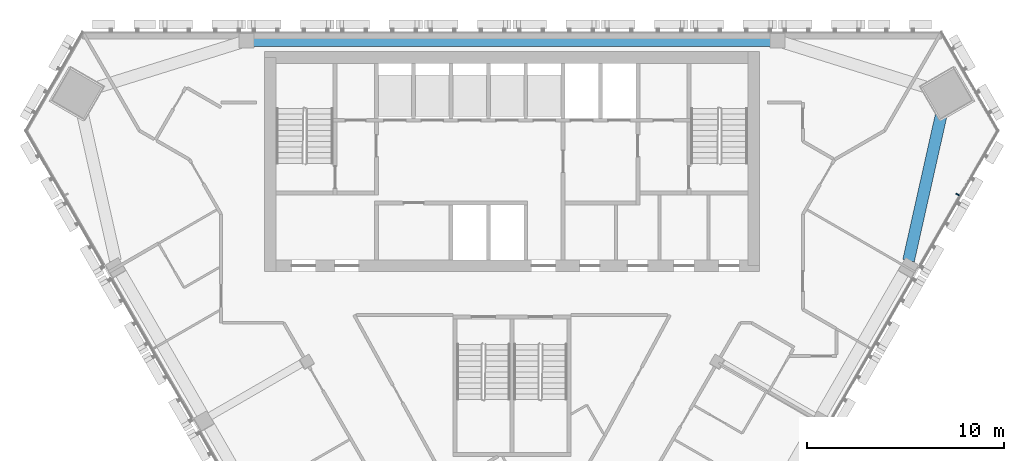
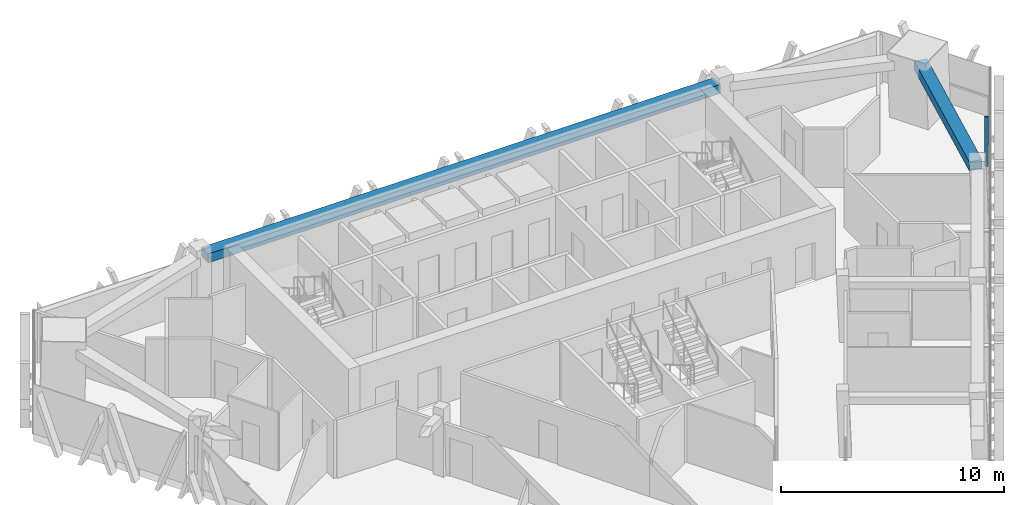
# One storey, part 6 of 14: 2 beams, 1 member, 1 element without a shape of its own.
"""IFC4 building model written with IfcOpenShell, lengths in metres."""

from ifc_helpers import new_model, si_unit, direction, frame, origin, origin_2d, place, context, subcontext, project, spatial, rectangle, extrude, material, layer, layer_set, material_profile, profile_set, type_object, element, aggregate, save


model = new_model("IFC4")

# Units and contexts
model_context = context("Model", 3, precision=1e-05, world=origin(), true_north=direction((0.0, 1.0)))
body_context = subcontext(model_context, "Body", "Model", "MODEL_VIEW")
ifc_project = project(units=[si_unit("LENGTHUNIT", "METRE"), si_unit("AREAUNIT", "SQUARE_METRE"), si_unit("VOLUMEUNIT", "CUBIC_METRE"), si_unit("PLANEANGLEUNIT", "RADIAN"), si_unit("MASSUNIT", "GRAM", prefix="KILO")], contexts=[model_context])

# Site, building, storey
site_placement = place(None, origin())
site = spatial("IfcSite", under=ifc_project, at=site_placement, CompositionType="ELEMENT")
building_placement = place(site_placement, origin())
building = spatial("IfcBuilding", under=site, at=building_placement, Name="Altiplano Prism Tower", CompositionType="ELEMENT")
storey_placement = place(building_placement, frame((0.0, 0.0, 223.0)))
storey = spatial("IfcBuildingStorey", under=building, at=storey_placement, Name="L57", CompositionType="ELEMENT", Elevation=223.0)

# Curtain wall, member
ifc_material_1 = material(Name="Aluminium and glass", Category="aluminium")
ifc_layer = layer(ifc_material_1, 0.280029296875)
ifc_layer_set = layer_set([ifc_layer], Name="Aluminium and glass")
curtain_wall_type = type_object("IfcCurtainWallType", Name="CW1 typical co-living unitised curtain wall", PredefinedType="NOTDEFINED", material=ifc_layer_set)
curtain_wall_placement = place(storey_placement, origin())
curtain_wall = element("IfcCurtainWall", 1, at=curtain_wall_placement, inside=storey, type_object=curtain_wall_type, Name="CW1 curtain wall south-east face L57", PredefinedType="NOTDEFINED")
ifc_material_2 = material(Name="Aluminium", Category="aluminium")
ifc_material_profile_1 = material_profile(ifc_material_2, rectangle(XDim=0.179931640625, YDim=0.06494140625, at=origin_2d()), Name="CW1 mullion 65 x 180")
ifc_profile_set_1 = profile_set([ifc_material_profile_1], Name="Aluminium")
member_type = type_object("IfcMemberType", Name="CW1 mullion 65 x 180", PredefinedType="MULLION", material=ifc_profile_set_1)
member_placement = place(storey_placement, frame((107.6669921875, 96.7265625, 0.0), z_axis=(0.0, 0.0, 1.0), x_axis=(-0.866025408567, 0.499999991717, 0.0)))
member = element("IfcMember", 2, at=member_placement, type_object=member_type, Name="CW1 mullion", PredefinedType="MULLION", context=body_context, shape_type="SweptSolid", body=[
    extrude(rectangle(XDim=0.179931640625, YDim=0.06494140625, at=origin_2d()), origin(), (0.0, 0.0, 1.0), 2.699951171875),
])
aggregate(curtain_wall, [member])

# Beams
ifc_material_3 = material(Name="Concrete C60/75", Category="concrete")
ifc_material_profile_2 = material_profile(ifc_material_3, rectangle(XDim=0.60009765625, YDim=0.5, at=origin_2d()), Name="Edge beam 600x500")
ifc_profile_set_2 = profile_set([ifc_material_profile_2], Name="Concrete C60/75")
beam_type = type_object("IfcBeamType", Name="Edge beam 600x500", PredefinedType="SPANDREL", material=ifc_profile_set_2)
beam_1_placement = place(storey_placement, frame((105.171630859375, 93.3642578125, 2.949951171875), z_axis=(0.218747343492, 0.97578153278, 0.0), x_axis=(-0.97578153278, 0.218747343492, 0.0)))
element("IfcBeam", 3, at=beam_1_placement, inside=storey, type_object=beam_type, Name="Edge beam P24-M2 L58", PredefinedType="SPANDREL", context=body_context, shape_type="SweptSolid", body=[
    extrude(rectangle(XDim=0.60009765625, YDim=0.5, at=origin_2d()), origin(), (0.0, 0.0, 1.0), 8.2646484375),
])
beam_2_placement = place(storey_placement, frame((98.2451171875, 104.550048828125, 2.949951171875), z_axis=(-1.0, 0.0, 0.0), x_axis=(0.0, -1.0, 0.0)))
element("IfcBeam", 4, at=beam_2_placement, inside=storey, type_object=beam_type, Name="Edge beam P01-P04 L58", PredefinedType="SPANDREL", context=body_context, shape_type="SweptSolid", body=[
    extrude(rectangle(XDim=0.60009765625, YDim=0.5, at=origin_2d()), origin(), (0.0, 0.0, 1.0), 26.490234375),
])

save(model, "model.ifc")
